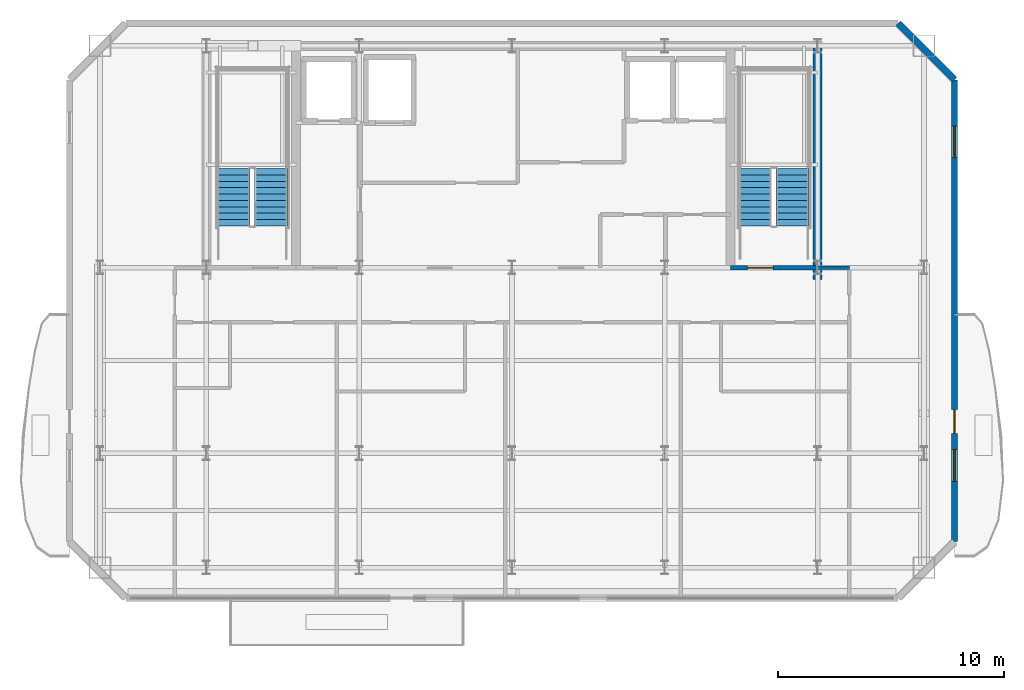
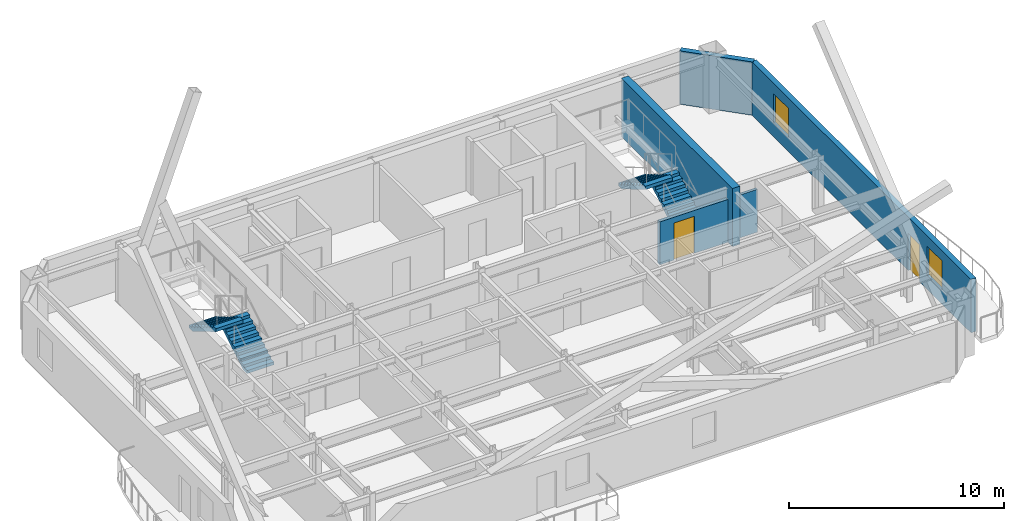
# One storey, part 4 of 7: 5 walls, 4 stair flights, 2 doors, 2 windows, 4 openings, 2 elements without a shape of their own.
"""IFC4 building model written with IfcOpenShell, lengths in metres."""

from ifc_helpers import new_model, si_unit, direction, frame, frame_2d, origin, place, context, subcontext, project, spatial, polyline, rectangle, outline, extrude, material, layer, layer_set, type_object, element, fill, aggregate, save


model = new_model("IFC4")

# Units and contexts
model_context = context("Model", 3, precision=1e-05, world=origin(), true_north=direction((0.0, 1.0)))
body_context = subcontext(model_context, "Body", "Model", "MODEL_VIEW")
ifc_project = project(units=[si_unit("LENGTHUNIT", "METRE"), si_unit("AREAUNIT", "SQUARE_METRE"), si_unit("VOLUMEUNIT", "CUBIC_METRE"), si_unit("PLANEANGLEUNIT", "RADIAN"), si_unit("MASSUNIT", "GRAM", prefix="KILO")], contexts=[model_context])

# Site, building, storey
site_placement = place(None, origin())
site = spatial("IfcSite", under=ifc_project, at=site_placement, CompositionType="ELEMENT")
building_placement = place(site_placement, origin())
building = spatial("IfcBuilding", under=site, at=building_placement, Name="Haevon Station Towers", CompositionType="ELEMENT")
storey_placement = place(building_placement, frame((0.0, 0.0, 259.199951171875)))
storey = spatial("IfcBuildingStorey", under=building, at=storey_placement, Name="L72", CompositionType="ELEMENT", Elevation=259.199951171875)

# Wall, opening, door
ifc_material_1 = material(Name="Gypsum board on steel stud", Category="steel")
ifc_layer_1 = layer(ifc_material_1, 0.199951171875)
ifc_layer_set_1 = layer_set([ifc_layer_1], Name="Gypsum board on steel stud")
wall_type_1 = type_object("IfcWallType", Name="WL-COR200", PredefinedType="PARTITIONING", material=ifc_layer_set_1)
wall_1_placement = place(storey_placement, frame((47.14990234375, 38.199951171875, 0.0), z_axis=(0.0, 0.0, 1.0), x_axis=(1.0, 0.0, 0.0)))
wall_1 = element("IfcWall", 1, at=wall_1_placement, inside=storey, type_object=wall_type_1, Name="WL-ST-ST2-L72", PredefinedType="PARTITIONING", context=body_context, shape_type="SweptSolid", body=[
    extrude(rectangle(XDim=3.85009765625, YDim=0.199951171875, at=frame_2d((1.925048828125, 0.0))), origin(), (0.0, 0.0, 1.0), 2.429931640625),
])
opening_1_placement = place(wall_1_placement, frame((0.75, 0.0, 0.0)))
opening_1 = element("IfcOpeningElement", 2, at=opening_1_placement, cuts=wall_1, Name="Opening DR-ST-ST2-L72", PredefinedType="OPENING", context=body_context, shape_type="SweptSolid", body=[
    extrude(rectangle(XDim=1.1201171875, YDim=2.10009765625, at=frame_2d((0.56005859375, 1.050048828125))), frame((0.0, 0.10986328125, 0.0), z_axis=(0.0, -1.0, 0.0), x_axis=(1.0, 0.0, 0.0)), (0.0, 0.0, 1.0), 0.219970703125),
])
ifc_material_2 = material(Name="Engineered oak timber", Category="wood")
door_type_1 = type_object("IfcDoorType", Name="DR-ST-1120", OperationType="NOTDEFINED", PredefinedType="DOOR", material=ifc_material_2)
door_1_placement = place(opening_1_placement, origin())
door_1 = element("IfcDoor", 3, at=door_1_placement, inside=storey, type_object=door_type_1, Name="L72 Escape Stair ST2 Fire Door", OperationType="SINGLE_SWING_LEFT", OverallHeight=2.10009765625, OverallWidth=1.1201171875, PredefinedType="DOOR", context=body_context, shape_type="SweptSolid", body=[
    extrude(rectangle(XDim=1.1201171875, YDim=2.10009765625, at=frame_2d((0.56005859375, 1.050048828125))), frame((0.0, 0.02490234375, 0.0), z_axis=(0.0, -1.0, 0.0), x_axis=(1.0, 0.0, 0.0)), (0.0, 0.0, 1.0), 0.050048828125),
])
fill(opening_1, door_1)

# Walls
ifc_material_3 = material(Name="Concrete C60/75", Category="concrete")
ifc_layer_2 = layer(ifc_material_3, 0.39990234375)
ifc_layer_set_2 = layer_set([ifc_layer_2], Name="Concrete C60/75")
wall_type_2 = type_object("IfcWallType", Name="WL-CR400", PredefinedType="SHEAR", material=ifc_layer_set_2)
wall_2_placement = place(storey_placement, frame((51.0, 37.679931640625, 0.0), z_axis=(0.0, 0.0, 1.0), x_axis=(0.0, 1.0, 0.0)))
element("IfcWall", 4, at=wall_2_placement, inside=storey, type_object=wall_type_2, Name="WL-T1CR-L72-E", PredefinedType="SHEAR", context=body_context, shape_type="SweptSolid", body=[
    extrude(rectangle(XDim=10.320068359375, YDim=0.39990234375, at=frame_2d((5.16015625, 0.0))), origin(), (0.0, 0.0, 1.0), 3.300048828125),
])
ifc_material_4 = material(Name="Precast concrete C45/55", Category="concrete")
ifc_layer_3 = layer(ifc_material_4, 0.280029296875)
ifc_layer_set_3 = layer_set([ifc_layer_3], Name="Precast concrete C45/55")
wall_type_3 = type_object("IfcWallType", Name="WL-EXT-PIER280", PredefinedType="SOLIDWALL", material=ifc_layer_set_3)
wall_3_placement = place(storey_placement, frame((54.550048828125, 49.0, 0.0), z_axis=(0.0, 0.0, 1.0), x_axis=(0.707106781187, -0.707106781187, 0.0)))
element("IfcWall", 5, at=wall_3_placement, inside=storey, type_object=wall_type_3, Name="WL-T1-L72-NEC", PredefinedType="SOLIDWALL", context=body_context, shape_type="SweptSolid", body=[
    extrude(rectangle(XDim=3.53564453125, YDim=0.280029296875, at=frame_2d((1.767822265625, 0.0))), origin(), (0.0, 0.0, 1.0), 3.030029296875),
])

# Wall, openings, door, windows
wall_4_placement = place(storey_placement, frame((57.050048828125, 46.5, 0.0), z_axis=(0.0, 0.0, 1.0), x_axis=(0.0, -1.0, 0.0)))
wall_4 = element("IfcWall", 6, at=wall_4_placement, inside=storey, type_object=wall_type_3, Name="WL-T1-L72-E", PredefinedType="SOLIDWALL", context=body_context, shape_type="SweptSolid", body=[
    extrude(rectangle(XDim=20.39990234375, YDim=0.280029296875, at=frame_2d((10.199951171875, 0.0))), origin(), (0.0, 0.0, 1.0), 3.030029296875),
])
opening_2_placement = place(wall_4_placement, frame((14.574951171875, 0.0, 0.0)))
opening_2 = element("IfcOpeningElement", 7, at=opening_2_placement, cuts=wall_4, Name="Opening DR-T1-SCAL-L72-E", PredefinedType="OPENING", context=body_context, shape_type="SweptSolid", body=[
    extrude(rectangle(XDim=1.050048828125, YDim=2.10009765625, at=frame_2d((0.52490234375, 1.050048828125))), frame((0.0, 0.14990234375, 0.0), z_axis=(0.0, -1.0, 0.0), x_axis=(1.0, 0.0, 0.0)), (0.0, 0.0, 1.0), 0.300048828125),
])
opening_3_placement = place(wall_4_placement, frame((2.04296875, 0.0, 0.800048828125)))
opening_3 = element("IfcOpeningElement", 8, at=opening_3_placement, cuts=wall_4, Name="Opening WN-END140", PredefinedType="OPENING", context=body_context, shape_type="SweptSolid", body=[
    extrude(rectangle(XDim=1.39990234375, YDim=1.64990234375, at=frame_2d((0.699951171875, 0.824951171875))), frame((0.0, 0.14990234375, 0.0), z_axis=(0.0, -1.0, 0.0), x_axis=(1.0, 0.0, 0.0)), (0.0, 0.0, 1.0), 0.300048828125),
])
opening_4_placement = place(wall_4_placement, frame((16.335693359375, 0.0, 0.800048828125)))
opening_4 = element("IfcOpeningElement", 9, at=opening_4_placement, cuts=wall_4, Name="Opening WN-END140", PredefinedType="OPENING", context=body_context, shape_type="SweptSolid", body=[
    extrude(rectangle(XDim=1.39990234375, YDim=1.64990234375, at=frame_2d((0.699951171875, 0.824951171875))), frame((0.0, 0.14990234375, 0.0), z_axis=(0.0, -1.0, 0.0), x_axis=(1.0, 0.0, 0.0)), (0.0, 0.0, 1.0), 0.300048828125),
])
ifc_material_5 = material(Name="Thermally broken anodised aluminium and laminated safety glass", Category="aluminium")
door_type_2 = type_object("IfcDoorType", Name="DR-BALC-1050", OperationType="NOTDEFINED", PredefinedType="DOOR", material=ifc_material_5)
door_2_placement = place(opening_2_placement, origin())
door_2 = element("IfcDoor", 10, at=door_2_placement, inside=storey, type_object=door_type_2, Name="Tower 1 L72 East Scalloped Balcony Door", OperationType="SINGLE_SWING_RIGHT", OverallHeight=2.10009765625, OverallWidth=1.050048828125, PredefinedType="DOOR", context=body_context, shape_type="SweptSolid", body=[
    extrude(rectangle(XDim=1.050048828125, YDim=2.10009765625, at=frame_2d((0.52490234375, 1.050048828125))), frame((0.0, 0.02490234375, 0.0), z_axis=(0.0, -1.0, 0.0), x_axis=(1.0, 0.0, 0.0)), (0.0, 0.0, 1.0), 0.050048828125),
])
fill(opening_2, door_2)
ifc_material_6 = material(Name="Low-E triple glazing in thermally broken aluminium", Category="aluminium")
window_type = type_object("IfcWindowType", Name="WN-END140", PartitioningType="SINGLE_PANEL", PredefinedType="WINDOW", material=ifc_material_6)
window_1_placement = place(opening_3_placement, origin())
window_1 = element("IfcWindow", 11, at=window_1_placement, inside=storey, type_object=window_type, Name="WN-T1-L72-E01", OverallHeight=1.64990234375, OverallWidth=1.39990234375, PartitioningType="SINGLE_PANEL", PredefinedType="WINDOW", context=body_context, shape_type="SweptSolid", body=[
    extrude(rectangle(XDim=1.39990234375, YDim=1.64990234375, at=frame_2d((0.699951171875, 0.824951171875))), frame((0.0, 0.030029296875, 0.0), z_axis=(0.0, -1.0, 0.0), x_axis=(1.0, 0.0, 0.0)), (0.0, 0.0, 1.0), 0.06005859375),
])
fill(opening_3, window_1)
window_2_placement = place(opening_4_placement, origin())
window_2 = element("IfcWindow", 12, at=window_2_placement, inside=storey, type_object=window_type, Name="WN-T1-L72-E02", OverallHeight=1.64990234375, OverallWidth=1.39990234375, PartitioningType="SINGLE_PANEL", PredefinedType="WINDOW", context=body_context, shape_type="SweptSolid", body=[
    extrude(rectangle(XDim=1.39990234375, YDim=1.64990234375, at=frame_2d((0.699951171875, 0.824951171875))), frame((0.0, 0.030029296875, 0.0), z_axis=(0.0, -1.0, 0.0), x_axis=(1.0, 0.0, 0.0)), (0.0, 0.0, 1.0), 0.06005859375),
])
fill(opening_4, window_2)

# Wall
ifc_layer_4 = layer(ifc_material_1, 0.159912109375)
ifc_layer_set_4 = layer_set([ifc_layer_4], Name="Gypsum board on steel stud")
wall_type_4 = type_object("IfcWallType", Name="WL-PRT160", PredefinedType="PARTITIONING", material=ifc_layer_set_4)
wall_5_placement = place(storey_placement, frame((51.0, 38.199951171875, 0.0), z_axis=(0.0, 0.0, 1.0), x_axis=(1.0, 0.0, 0.0)))
element("IfcWall", 13, at=wall_5_placement, inside=storey, type_object=wall_type_4, Name="WL-T1PT-L72-02", PredefinedType="PARTITIONING", context=body_context, shape_type="SweptSolid", body=[
    extrude(rectangle(XDim=1.39990234375, YDim=0.159912109375, at=frame_2d((0.699951171875, 0.0))), origin(), (0.0, 0.0, 1.0), 2.429931640625),
])

# Stair, stair flights
ifc_material_7 = material(Name="Concrete C40/50", Category="concrete")
stair_type = type_object("IfcStairType", Name="STR-DL1450", PredefinedType="USERDEFINED", material=ifc_material_7)
stair_1_placement = place(storey_placement, origin())
stair_1 = element("IfcStair", 14, at=stair_1_placement, inside=storey, type_object=stair_type, Name="L72 Escape Stair ST1", ObjectType="TWO_RETURN_STAIR", PredefinedType="USERDEFINED")
stair_flight_type = type_object("IfcStairFlightType", Name="STF-ST1450", PredefinedType="STRAIGHT", material=ifc_material_7)
stair_flight_1_placement = place(storey_placement, frame((26.85498046875, 40.050048828125, 0.0), z_axis=(0.0, 0.0, 1.0), x_axis=(0.0, 1.0, 0.0)))
stair_flight_1 = element("IfcStairFlight", 15, at=stair_flight_1_placement, type_object=stair_flight_type, Name="L72 ST1 Flight 1", NumberOfRisers=10, NumberOfTreads=9, PredefinedType="STRAIGHT", RiserHeight=0.165, TreadLength=0.28, context=body_context, shape_type="SweptSolid", body=[
    extrude(outline(polyline([(0.0, 0.0), (0.0, 0.1650390625), (0.280029296875, 0.1650390625), (0.280029296875, 0.330078125), (0.56005859375, 0.330078125), (0.56005859375, 0.4951171875), (0.840087890625, 0.4951171875), (0.840087890625, 0.659912109375), (1.1201171875, 0.659912109375), (1.1201171875, 0.824951171875), (1.39990234375, 0.824951171875), (1.39990234375, 0.989990234375), (1.679931640625, 0.989990234375), (1.679931640625, 1.155029296875), (1.9599609375, 1.155029296875), (1.9599609375, 1.320068359375), (2.239990234375, 1.320068359375), (2.239990234375, 1.485107421875), (2.52001953125, 1.485107421875), (2.52001953125, 1.64990234375), (2.52001953125, 1.29931640625), (0.31494140625, 0.0), (0.0, 0.0)])), frame((0.0, 0.72509765625, 0.0), z_axis=(0.0, -1.0, 0.0), x_axis=(1.0, 0.0, 0.0)), (0.0, 0.0, 1.0), 1.449951171875),
])
stair_flight_2_placement = place(storey_placement, frame((25.205078125, 42.570068359375, 1.650146484375), z_axis=(0.0, 0.0, 1.0), x_axis=(0.0, -1.0, 0.0)))
stair_flight_2 = element("IfcStairFlight", 16, at=stair_flight_2_placement, type_object=stair_flight_type, Name="L72 ST1 Flight 2", NumberOfRisers=10, NumberOfTreads=9, PredefinedType="STRAIGHT", RiserHeight=0.165, TreadLength=0.28, context=body_context, shape_type="SweptSolid", body=[
    extrude(outline(polyline([(0.0, 0.0), (0.0, 0.1650390625), (0.280029296875, 0.1650390625), (0.280029296875, 0.330078125), (0.56005859375, 0.330078125), (0.56005859375, 0.4951171875), (0.840087890625, 0.4951171875), (0.840087890625, 0.659912109375), (1.1201171875, 0.659912109375), (1.1201171875, 0.824951171875), (1.39990234375, 0.824951171875), (1.39990234375, 0.989990234375), (1.679931640625, 0.989990234375), (1.679931640625, 1.155029296875), (1.9599609375, 1.155029296875), (1.9599609375, 1.320068359375), (2.239990234375, 1.320068359375), (2.239990234375, 1.485107421875), (2.52001953125, 1.485107421875), (2.52001953125, 1.64990234375), (2.52001953125, 1.29931640625), (0.31494140625, 0.0), (0.0, 0.0)])), frame((0.0, 0.72509765625, 0.0), z_axis=(0.0, -1.0, 0.0), x_axis=(1.0, 0.0, 0.0)), (0.0, 0.0, 1.0), 1.449951171875),
])
aggregate(stair_1, [stair_flight_1, stair_flight_2])

stair_2_placement = place(storey_placement, origin())
stair_2 = element("IfcStair", 17, at=stair_2_placement, inside=storey, type_object=stair_type, Name="L72 Escape Stair ST2", ObjectType="TWO_RETURN_STAIR", PredefinedType="USERDEFINED")
stair_flight_3_placement = place(storey_placement, frame((49.89501953125, 40.050048828125, 0.0), z_axis=(0.0, 0.0, 1.0), x_axis=(0.0, 1.0, 0.0)))
stair_flight_3 = element("IfcStairFlight", 18, at=stair_flight_3_placement, type_object=stair_flight_type, Name="L72 ST2 Flight 1", NumberOfRisers=10, NumberOfTreads=9, PredefinedType="STRAIGHT", RiserHeight=0.165, TreadLength=0.28, context=body_context, shape_type="SweptSolid", body=[
    extrude(outline(polyline([(0.0, 0.0), (0.0, 0.1650390625), (0.280029296875, 0.1650390625), (0.280029296875, 0.330078125), (0.56005859375, 0.330078125), (0.56005859375, 0.4951171875), (0.840087890625, 0.4951171875), (0.840087890625, 0.659912109375), (1.1201171875, 0.659912109375), (1.1201171875, 0.824951171875), (1.39990234375, 0.824951171875), (1.39990234375, 0.989990234375), (1.679931640625, 0.989990234375), (1.679931640625, 1.155029296875), (1.9599609375, 1.155029296875), (1.9599609375, 1.320068359375), (2.239990234375, 1.320068359375), (2.239990234375, 1.485107421875), (2.52001953125, 1.485107421875), (2.52001953125, 1.64990234375), (2.52001953125, 1.29931640625), (0.31494140625, 0.0), (0.0, 0.0)])), frame((0.0, 0.72509765625, 0.0), z_axis=(0.0, -1.0, 0.0), x_axis=(1.0, 0.0, 0.0)), (0.0, 0.0, 1.0), 1.449951171875),
])
stair_flight_4_placement = place(storey_placement, frame((48.2451171875, 42.570068359375, 1.650146484375), z_axis=(0.0, 0.0, 1.0), x_axis=(0.0, -1.0, 0.0)))
stair_flight_4 = element("IfcStairFlight", 19, at=stair_flight_4_placement, type_object=stair_flight_type, Name="L72 ST2 Flight 2", NumberOfRisers=10, NumberOfTreads=9, PredefinedType="STRAIGHT", RiserHeight=0.165, TreadLength=0.28, context=body_context, shape_type="SweptSolid", body=[
    extrude(outline(polyline([(0.0, 0.0), (0.0, 0.1650390625), (0.280029296875, 0.1650390625), (0.280029296875, 0.330078125), (0.56005859375, 0.330078125), (0.56005859375, 0.4951171875), (0.840087890625, 0.4951171875), (0.840087890625, 0.659912109375), (1.1201171875, 0.659912109375), (1.1201171875, 0.824951171875), (1.39990234375, 0.824951171875), (1.39990234375, 0.989990234375), (1.679931640625, 0.989990234375), (1.679931640625, 1.155029296875), (1.9599609375, 1.155029296875), (1.9599609375, 1.320068359375), (2.239990234375, 1.320068359375), (2.239990234375, 1.485107421875), (2.52001953125, 1.485107421875), (2.52001953125, 1.64990234375), (2.52001953125, 1.29931640625), (0.31494140625, 0.0), (0.0, 0.0)])), frame((0.0, 0.72509765625, 0.0), z_axis=(0.0, -1.0, 0.0), x_axis=(1.0, 0.0, 0.0)), (0.0, 0.0, 1.0), 1.449951171875),
])
aggregate(stair_2, [stair_flight_3, stair_flight_4])

save(model, "model.ifc")
